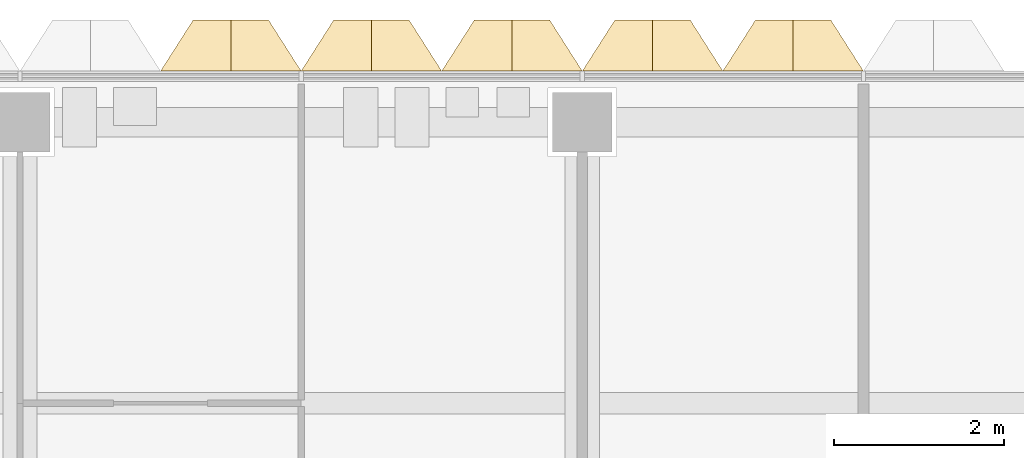
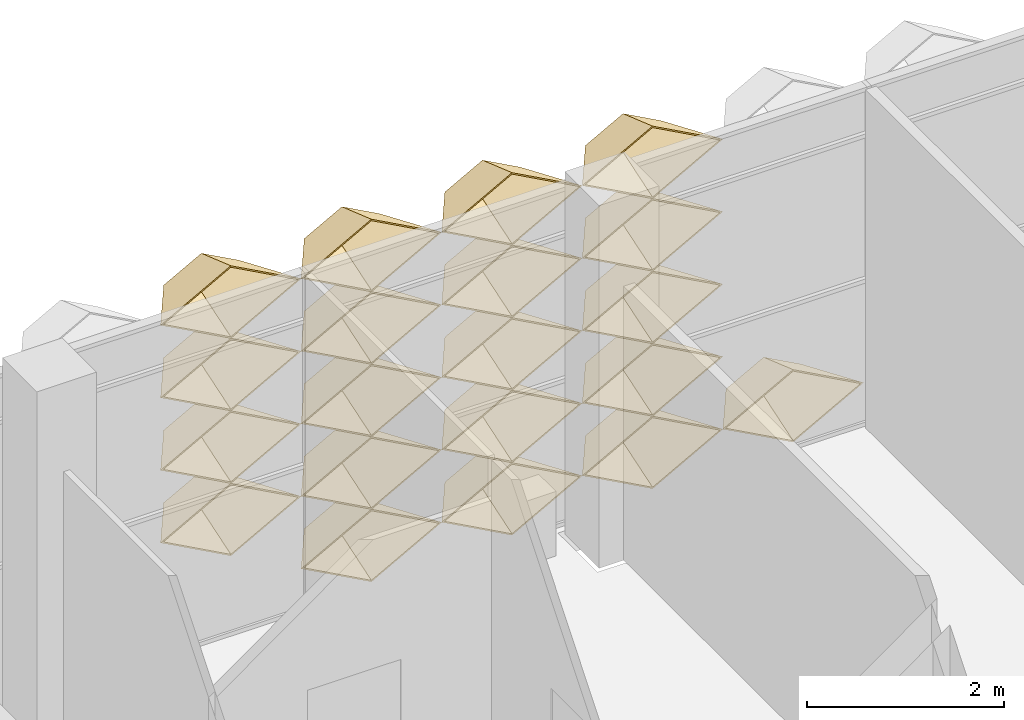
# One storey, part 26 of 29: 20 coverings.
"""IFC4 building model written with IfcOpenShell, lengths in metres."""

from ifc_helpers import new_model, entity, si_unit, direction, frame, origin, place, context, subcontext, project, spatial, material, layer, layer_set, type_object, element, save


model = new_model("IFC4")

# Units and contexts
model_context = context("Model", 3, precision=1e-05, world=origin(), true_north=direction((0.0, 1.0)))
body_context = subcontext(model_context, "Body", "Model", "MODEL_VIEW")
ifc_project = project(units=[si_unit("LENGTHUNIT", "METRE"), si_unit("AREAUNIT", "SQUARE_METRE"), si_unit("VOLUMEUNIT", "CUBIC_METRE"), si_unit("PLANEANGLEUNIT", "RADIAN"), si_unit("MASSUNIT", "GRAM", prefix="KILO")], contexts=[model_context])

# Site, building, storey
site_placement = place(None, origin())
site = spatial("IfcSite", under=ifc_project, at=site_placement, CompositionType="ELEMENT")
building_placement = place(site_placement, origin())
building = spatial("IfcBuilding", under=site, at=building_placement, Name="Lantern Court Research Institute", CompositionType="ELEMENT")
storey_placement = place(building_placement, frame((0.0, 0.0, 32.39990234375)))
storey = spatial("IfcBuildingStorey", under=building, at=storey_placement, Name="L07", CompositionType="ELEMENT", Elevation=32.39990234375)

# Coverings
ifc_material = material(Name="Anodised aluminium", Category="aluminium")
ifc_layer = layer(ifc_material, 0.01611328125)
ifc_layer_set = layer_set([ifc_layer], Name="Anodised aluminium")
covering_type = type_object("IfcCoveringType", Name="Fin cassette 1650 x 900 x 600 aluminium", PredefinedType="CLADDING", material=ifc_layer_set)
covering_1_placement = place(storey_placement, frame((63.52490234375, 23.699951171875, 0.4501953125), z_axis=(0.0, 1.0, 0.0), x_axis=(-1.0, 0.0, 0.0)))
cartesian_point_1 = entity("IfcCartesianPoint", [0.824951171875, 0.0])
cartesian_point_2 = entity("IfcCartesianPoint", [0.79150390625, 0.0])
cartesian_point_3 = entity("IfcCartesianPoint", [0.44189453125, 0.0])
cartesian_point_4 = entity("IfcCartesianPoint", [0.43359375, 0.0])
element("IfcCovering", 1, at=covering_1_placement, inside=storey, type_object=covering_type, Name="Fin cassette V5N-L07 1.39", PredefinedType="CLADDING", context=body_context, shape_type="SweptSolid", body=[
    entity("IfcExtrudedAreaSolidTapered", entity("IfcArbitraryProfileDefWithVoids", "AREA", None, entity("IfcPolyline", [cartesian_point_1, entity("IfcCartesianPoint", [0.0, 0.449951171875]), entity("IfcCartesianPoint", [-0.824951171875, 0.0]), entity("IfcCartesianPoint", [0.0, -0.449951171875]), cartesian_point_1]), [entity("IfcPolyline", [cartesian_point_2, entity("IfcCartesianPoint", [0.0, 0.431884765625]), entity("IfcCartesianPoint", [-0.79150390625, 0.0]), entity("IfcCartesianPoint", [0.0, -0.431884765625]), cartesian_point_2])]), entity("IfcAxis2Placement3D", entity("IfcCartesianPoint", [0.0, 0.0, 0.0])), entity("IfcDirection", [0.0, 0.0, 1.0]), 0.60009765625, entity("IfcArbitraryProfileDefWithVoids", "AREA", None, entity("IfcPolyline", [cartesian_point_3, entity("IfcCartesianPoint", [0.0, 0.240966796875]), entity("IfcCartesianPoint", [-0.44189453125, 0.0]), entity("IfcCartesianPoint", [0.0, -0.240966796875]), cartesian_point_3]), [entity("IfcPolyline", [cartesian_point_4, entity("IfcCartesianPoint", [0.0, 0.236572265625]), entity("IfcCartesianPoint", [-0.43359375, 0.0]), entity("IfcCartesianPoint", [0.0, -0.236572265625]), cartesian_point_4])])),
])
covering_2_placement = place(storey_placement, frame((65.175048828125, 23.699951171875, 0.4501953125), z_axis=(0.0, 1.0, 0.0), x_axis=(-1.0, 0.0, 0.0)))
cartesian_point_5 = entity("IfcCartesianPoint", [0.824951171875, 0.0])
cartesian_point_6 = entity("IfcCartesianPoint", [0.79150390625, 0.0])
cartesian_point_7 = entity("IfcCartesianPoint", [0.44189453125, 0.0])
cartesian_point_8 = entity("IfcCartesianPoint", [0.43359375, 0.0])
element("IfcCovering", 2, at=covering_2_placement, inside=storey, type_object=covering_type, Name="Fin cassette V5N-L07 1.40", PredefinedType="CLADDING", context=body_context, shape_type="SweptSolid", body=[
    entity("IfcExtrudedAreaSolidTapered", entity("IfcArbitraryProfileDefWithVoids", "AREA", None, entity("IfcPolyline", [cartesian_point_5, entity("IfcCartesianPoint", [0.0, 0.449951171875]), entity("IfcCartesianPoint", [-0.824951171875, 0.0]), entity("IfcCartesianPoint", [0.0, -0.449951171875]), cartesian_point_5]), [entity("IfcPolyline", [cartesian_point_6, entity("IfcCartesianPoint", [0.0, 0.431884765625]), entity("IfcCartesianPoint", [-0.79150390625, 0.0]), entity("IfcCartesianPoint", [0.0, -0.431884765625]), cartesian_point_6])]), entity("IfcAxis2Placement3D", entity("IfcCartesianPoint", [0.0, 0.0, 0.0])), entity("IfcDirection", [0.0, 0.0, 1.0]), 0.60009765625, entity("IfcArbitraryProfileDefWithVoids", "AREA", None, entity("IfcPolyline", [cartesian_point_7, entity("IfcCartesianPoint", [0.0, 0.240966796875]), entity("IfcCartesianPoint", [-0.44189453125, 0.0]), entity("IfcCartesianPoint", [0.0, -0.240966796875]), cartesian_point_7]), [entity("IfcPolyline", [cartesian_point_8, entity("IfcCartesianPoint", [0.0, 0.236572265625]), entity("IfcCartesianPoint", [-0.43359375, 0.0]), entity("IfcCartesianPoint", [0.0, -0.236572265625]), cartesian_point_8])])),
])
covering_3_placement = place(storey_placement, frame((66.824951171875, 23.699951171875, 0.4501953125), z_axis=(0.0, 1.0, 0.0), x_axis=(-1.0, 0.0, 0.0)))
cartesian_point_9 = entity("IfcCartesianPoint", [0.824951171875, 0.0])
cartesian_point_10 = entity("IfcCartesianPoint", [0.79150390625, 0.0])
cartesian_point_11 = entity("IfcCartesianPoint", [0.44189453125, 0.0])
cartesian_point_12 = entity("IfcCartesianPoint", [0.43359375, 0.0])
element("IfcCovering", 3, at=covering_3_placement, inside=storey, type_object=covering_type, Name="Fin cassette V5N-L07 1.41", PredefinedType="CLADDING", context=body_context, shape_type="SweptSolid", body=[
    entity("IfcExtrudedAreaSolidTapered", entity("IfcArbitraryProfileDefWithVoids", "AREA", None, entity("IfcPolyline", [cartesian_point_9, entity("IfcCartesianPoint", [0.0, 0.449951171875]), entity("IfcCartesianPoint", [-0.824951171875, 0.0]), entity("IfcCartesianPoint", [0.0, -0.449951171875]), cartesian_point_9]), [entity("IfcPolyline", [cartesian_point_10, entity("IfcCartesianPoint", [0.0, 0.431884765625]), entity("IfcCartesianPoint", [-0.79150390625, 0.0]), entity("IfcCartesianPoint", [0.0, -0.431884765625]), cartesian_point_10])]), entity("IfcAxis2Placement3D", entity("IfcCartesianPoint", [0.0, 0.0, 0.0])), entity("IfcDirection", [0.0, 0.0, 1.0]), 0.60009765625, entity("IfcArbitraryProfileDefWithVoids", "AREA", None, entity("IfcPolyline", [cartesian_point_11, entity("IfcCartesianPoint", [0.0, 0.240966796875]), entity("IfcCartesianPoint", [-0.44189453125, 0.0]), entity("IfcCartesianPoint", [0.0, -0.240966796875]), cartesian_point_11]), [entity("IfcPolyline", [cartesian_point_12, entity("IfcCartesianPoint", [0.0, 0.236572265625]), entity("IfcCartesianPoint", [-0.43359375, 0.0]), entity("IfcCartesianPoint", [0.0, -0.236572265625]), cartesian_point_12])])),
])
covering_4_placement = place(storey_placement, frame((68.47509765625, 23.699951171875, 0.4501953125), z_axis=(0.0, 1.0, 0.0), x_axis=(-1.0, 0.0, 0.0)))
cartesian_point_13 = entity("IfcCartesianPoint", [0.824951171875, 0.0])
cartesian_point_14 = entity("IfcCartesianPoint", [0.79150390625, 0.0])
cartesian_point_15 = entity("IfcCartesianPoint", [0.44189453125, 0.0])
cartesian_point_16 = entity("IfcCartesianPoint", [0.43359375, 0.0])
element("IfcCovering", 4, at=covering_4_placement, inside=storey, type_object=covering_type, Name="Fin cassette V5N-L07 1.42", PredefinedType="CLADDING", context=body_context, shape_type="SweptSolid", body=[
    entity("IfcExtrudedAreaSolidTapered", entity("IfcArbitraryProfileDefWithVoids", "AREA", None, entity("IfcPolyline", [cartesian_point_13, entity("IfcCartesianPoint", [0.0, 0.449951171875]), entity("IfcCartesianPoint", [-0.824951171875, 0.0]), entity("IfcCartesianPoint", [0.0, -0.449951171875]), cartesian_point_13]), [entity("IfcPolyline", [cartesian_point_14, entity("IfcCartesianPoint", [0.0, 0.431884765625]), entity("IfcCartesianPoint", [-0.79150390625, 0.0]), entity("IfcCartesianPoint", [0.0, -0.431884765625]), cartesian_point_14])]), entity("IfcAxis2Placement3D", entity("IfcCartesianPoint", [0.0, 0.0, 0.0])), entity("IfcDirection", [0.0, 0.0, 1.0]), 0.60009765625, entity("IfcArbitraryProfileDefWithVoids", "AREA", None, entity("IfcPolyline", [cartesian_point_15, entity("IfcCartesianPoint", [0.0, 0.240966796875]), entity("IfcCartesianPoint", [-0.44189453125, 0.0]), entity("IfcCartesianPoint", [0.0, -0.240966796875]), cartesian_point_15]), [entity("IfcPolyline", [cartesian_point_16, entity("IfcCartesianPoint", [0.0, 0.236572265625]), entity("IfcCartesianPoint", [-0.43359375, 0.0]), entity("IfcCartesianPoint", [0.0, -0.236572265625]), cartesian_point_16])])),
])
covering_5_placement = place(storey_placement, frame((61.875, 23.699951171875, 1.35009765625), z_axis=(0.0, 1.0, 0.0), x_axis=(-1.0, 0.0, 0.0)))
cartesian_point_17 = entity("IfcCartesianPoint", [0.824951171875, 0.0])
cartesian_point_18 = entity("IfcCartesianPoint", [0.79150390625, 0.0])
cartesian_point_19 = entity("IfcCartesianPoint", [0.44189453125, 0.0])
cartesian_point_20 = entity("IfcCartesianPoint", [0.43359375, 0.0])
element("IfcCovering", 5, at=covering_5_placement, inside=storey, type_object=covering_type, Name="Fin cassette V5N-L07 2.38", PredefinedType="CLADDING", context=body_context, shape_type="SweptSolid", body=[
    entity("IfcExtrudedAreaSolidTapered", entity("IfcArbitraryProfileDefWithVoids", "AREA", None, entity("IfcPolyline", [cartesian_point_17, entity("IfcCartesianPoint", [0.0, 0.449951171875]), entity("IfcCartesianPoint", [-0.824951171875, 0.0]), entity("IfcCartesianPoint", [0.0, -0.449951171875]), cartesian_point_17]), [entity("IfcPolyline", [cartesian_point_18, entity("IfcCartesianPoint", [0.0, 0.431884765625]), entity("IfcCartesianPoint", [-0.79150390625, 0.0]), entity("IfcCartesianPoint", [0.0, -0.431884765625]), cartesian_point_18])]), entity("IfcAxis2Placement3D", entity("IfcCartesianPoint", [0.0, 0.0, 0.0])), entity("IfcDirection", [0.0, 0.0, 1.0]), 0.60009765625, entity("IfcArbitraryProfileDefWithVoids", "AREA", None, entity("IfcPolyline", [cartesian_point_19, entity("IfcCartesianPoint", [0.0, 0.240966796875]), entity("IfcCartesianPoint", [-0.44189453125, 0.0]), entity("IfcCartesianPoint", [0.0, -0.240966796875]), cartesian_point_19]), [entity("IfcPolyline", [cartesian_point_20, entity("IfcCartesianPoint", [0.0, 0.236572265625]), entity("IfcCartesianPoint", [-0.43359375, 0.0]), entity("IfcCartesianPoint", [0.0, -0.236572265625]), cartesian_point_20])])),
])
covering_6_placement = place(storey_placement, frame((63.52490234375, 23.699951171875, 1.35009765625), z_axis=(0.0, 1.0, 0.0), x_axis=(-1.0, 0.0, 0.0)))
cartesian_point_21 = entity("IfcCartesianPoint", [0.824951171875, 0.0])
cartesian_point_22 = entity("IfcCartesianPoint", [0.79150390625, 0.0])
cartesian_point_23 = entity("IfcCartesianPoint", [0.44189453125, 0.0])
cartesian_point_24 = entity("IfcCartesianPoint", [0.43359375, 0.0])
element("IfcCovering", 6, at=covering_6_placement, inside=storey, type_object=covering_type, Name="Fin cassette V5N-L07 2.39", PredefinedType="CLADDING", context=body_context, shape_type="SweptSolid", body=[
    entity("IfcExtrudedAreaSolidTapered", entity("IfcArbitraryProfileDefWithVoids", "AREA", None, entity("IfcPolyline", [cartesian_point_21, entity("IfcCartesianPoint", [0.0, 0.449951171875]), entity("IfcCartesianPoint", [-0.824951171875, 0.0]), entity("IfcCartesianPoint", [0.0, -0.449951171875]), cartesian_point_21]), [entity("IfcPolyline", [cartesian_point_22, entity("IfcCartesianPoint", [0.0, 0.431884765625]), entity("IfcCartesianPoint", [-0.79150390625, 0.0]), entity("IfcCartesianPoint", [0.0, -0.431884765625]), cartesian_point_22])]), entity("IfcAxis2Placement3D", entity("IfcCartesianPoint", [0.0, 0.0, 0.0])), entity("IfcDirection", [0.0, 0.0, 1.0]), 0.60009765625, entity("IfcArbitraryProfileDefWithVoids", "AREA", None, entity("IfcPolyline", [cartesian_point_23, entity("IfcCartesianPoint", [0.0, 0.240966796875]), entity("IfcCartesianPoint", [-0.44189453125, 0.0]), entity("IfcCartesianPoint", [0.0, -0.240966796875]), cartesian_point_23]), [entity("IfcPolyline", [cartesian_point_24, entity("IfcCartesianPoint", [0.0, 0.236572265625]), entity("IfcCartesianPoint", [-0.43359375, 0.0]), entity("IfcCartesianPoint", [0.0, -0.236572265625]), cartesian_point_24])])),
])
covering_7_placement = place(storey_placement, frame((65.175048828125, 23.699951171875, 1.35009765625), z_axis=(0.0, 1.0, 0.0), x_axis=(-1.0, 0.0, 0.0)))
cartesian_point_25 = entity("IfcCartesianPoint", [0.824951171875, 0.0])
cartesian_point_26 = entity("IfcCartesianPoint", [0.79150390625, 0.0])
cartesian_point_27 = entity("IfcCartesianPoint", [0.44189453125, 0.0])
cartesian_point_28 = entity("IfcCartesianPoint", [0.43359375, 0.0])
element("IfcCovering", 7, at=covering_7_placement, inside=storey, type_object=covering_type, Name="Fin cassette V5N-L07 2.40", PredefinedType="CLADDING", context=body_context, shape_type="SweptSolid", body=[
    entity("IfcExtrudedAreaSolidTapered", entity("IfcArbitraryProfileDefWithVoids", "AREA", None, entity("IfcPolyline", [cartesian_point_25, entity("IfcCartesianPoint", [0.0, 0.449951171875]), entity("IfcCartesianPoint", [-0.824951171875, 0.0]), entity("IfcCartesianPoint", [0.0, -0.449951171875]), cartesian_point_25]), [entity("IfcPolyline", [cartesian_point_26, entity("IfcCartesianPoint", [0.0, 0.431884765625]), entity("IfcCartesianPoint", [-0.79150390625, 0.0]), entity("IfcCartesianPoint", [0.0, -0.431884765625]), cartesian_point_26])]), entity("IfcAxis2Placement3D", entity("IfcCartesianPoint", [0.0, 0.0, 0.0])), entity("IfcDirection", [0.0, 0.0, 1.0]), 0.60009765625, entity("IfcArbitraryProfileDefWithVoids", "AREA", None, entity("IfcPolyline", [cartesian_point_27, entity("IfcCartesianPoint", [0.0, 0.240966796875]), entity("IfcCartesianPoint", [-0.44189453125, 0.0]), entity("IfcCartesianPoint", [0.0, -0.240966796875]), cartesian_point_27]), [entity("IfcPolyline", [cartesian_point_28, entity("IfcCartesianPoint", [0.0, 0.236572265625]), entity("IfcCartesianPoint", [-0.43359375, 0.0]), entity("IfcCartesianPoint", [0.0, -0.236572265625]), cartesian_point_28])])),
])
covering_8_placement = place(storey_placement, frame((66.824951171875, 23.699951171875, 1.35009765625), z_axis=(0.0, 1.0, 0.0), x_axis=(-1.0, 0.0, 0.0)))
cartesian_point_29 = entity("IfcCartesianPoint", [0.824951171875, 0.0])
cartesian_point_30 = entity("IfcCartesianPoint", [0.79150390625, 0.0])
cartesian_point_31 = entity("IfcCartesianPoint", [0.44189453125, 0.0])
cartesian_point_32 = entity("IfcCartesianPoint", [0.43359375, 0.0])
element("IfcCovering", 8, at=covering_8_placement, inside=storey, type_object=covering_type, Name="Fin cassette V5N-L07 2.41", PredefinedType="CLADDING", context=body_context, shape_type="SweptSolid", body=[
    entity("IfcExtrudedAreaSolidTapered", entity("IfcArbitraryProfileDefWithVoids", "AREA", None, entity("IfcPolyline", [cartesian_point_29, entity("IfcCartesianPoint", [0.0, 0.449951171875]), entity("IfcCartesianPoint", [-0.824951171875, 0.0]), entity("IfcCartesianPoint", [0.0, -0.449951171875]), cartesian_point_29]), [entity("IfcPolyline", [cartesian_point_30, entity("IfcCartesianPoint", [0.0, 0.431884765625]), entity("IfcCartesianPoint", [-0.79150390625, 0.0]), entity("IfcCartesianPoint", [0.0, -0.431884765625]), cartesian_point_30])]), entity("IfcAxis2Placement3D", entity("IfcCartesianPoint", [0.0, 0.0, 0.0])), entity("IfcDirection", [0.0, 0.0, 1.0]), 0.60009765625, entity("IfcArbitraryProfileDefWithVoids", "AREA", None, entity("IfcPolyline", [cartesian_point_31, entity("IfcCartesianPoint", [0.0, 0.240966796875]), entity("IfcCartesianPoint", [-0.44189453125, 0.0]), entity("IfcCartesianPoint", [0.0, -0.240966796875]), cartesian_point_31]), [entity("IfcPolyline", [cartesian_point_32, entity("IfcCartesianPoint", [0.0, 0.236572265625]), entity("IfcCartesianPoint", [-0.43359375, 0.0]), entity("IfcCartesianPoint", [0.0, -0.236572265625]), cartesian_point_32])])),
])
covering_9_placement = place(storey_placement, frame((61.875, 23.699951171875, 2.25), z_axis=(0.0, 1.0, 0.0), x_axis=(-1.0, 0.0, 0.0)))
cartesian_point_33 = entity("IfcCartesianPoint", [0.824951171875, 0.0])
cartesian_point_34 = entity("IfcCartesianPoint", [0.79150390625, 0.0])
cartesian_point_35 = entity("IfcCartesianPoint", [0.44189453125, 0.0])
cartesian_point_36 = entity("IfcCartesianPoint", [0.43359375, 0.0])
element("IfcCovering", 9, at=covering_9_placement, inside=storey, type_object=covering_type, Name="Fin cassette V5N-L07 3.38", PredefinedType="CLADDING", context=body_context, shape_type="SweptSolid", body=[
    entity("IfcExtrudedAreaSolidTapered", entity("IfcArbitraryProfileDefWithVoids", "AREA", None, entity("IfcPolyline", [cartesian_point_33, entity("IfcCartesianPoint", [0.0, 0.449951171875]), entity("IfcCartesianPoint", [-0.824951171875, 0.0]), entity("IfcCartesianPoint", [0.0, -0.449951171875]), cartesian_point_33]), [entity("IfcPolyline", [cartesian_point_34, entity("IfcCartesianPoint", [0.0, 0.431884765625]), entity("IfcCartesianPoint", [-0.79150390625, 0.0]), entity("IfcCartesianPoint", [0.0, -0.431884765625]), cartesian_point_34])]), entity("IfcAxis2Placement3D", entity("IfcCartesianPoint", [0.0, 0.0, 0.0])), entity("IfcDirection", [0.0, 0.0, 1.0]), 0.60009765625, entity("IfcArbitraryProfileDefWithVoids", "AREA", None, entity("IfcPolyline", [cartesian_point_35, entity("IfcCartesianPoint", [0.0, 0.240966796875]), entity("IfcCartesianPoint", [-0.44189453125, 0.0]), entity("IfcCartesianPoint", [0.0, -0.240966796875]), cartesian_point_35]), [entity("IfcPolyline", [cartesian_point_36, entity("IfcCartesianPoint", [0.0, 0.236572265625]), entity("IfcCartesianPoint", [-0.43359375, 0.0]), entity("IfcCartesianPoint", [0.0, -0.236572265625]), cartesian_point_36])])),
])
covering_10_placement = place(storey_placement, frame((63.52490234375, 23.699951171875, 2.25), z_axis=(0.0, 1.0, 0.0), x_axis=(-1.0, 0.0, 0.0)))
cartesian_point_37 = entity("IfcCartesianPoint", [0.824951171875, 0.0])
cartesian_point_38 = entity("IfcCartesianPoint", [0.79150390625, 0.0])
cartesian_point_39 = entity("IfcCartesianPoint", [0.44189453125, 0.0])
cartesian_point_40 = entity("IfcCartesianPoint", [0.43359375, 0.0])
element("IfcCovering", 10, at=covering_10_placement, inside=storey, type_object=covering_type, Name="Fin cassette V5N-L07 3.39", PredefinedType="CLADDING", context=body_context, shape_type="SweptSolid", body=[
    entity("IfcExtrudedAreaSolidTapered", entity("IfcArbitraryProfileDefWithVoids", "AREA", None, entity("IfcPolyline", [cartesian_point_37, entity("IfcCartesianPoint", [0.0, 0.449951171875]), entity("IfcCartesianPoint", [-0.824951171875, 0.0]), entity("IfcCartesianPoint", [0.0, -0.449951171875]), cartesian_point_37]), [entity("IfcPolyline", [cartesian_point_38, entity("IfcCartesianPoint", [0.0, 0.431884765625]), entity("IfcCartesianPoint", [-0.79150390625, 0.0]), entity("IfcCartesianPoint", [0.0, -0.431884765625]), cartesian_point_38])]), entity("IfcAxis2Placement3D", entity("IfcCartesianPoint", [0.0, 0.0, 0.0])), entity("IfcDirection", [0.0, 0.0, 1.0]), 0.60009765625, entity("IfcArbitraryProfileDefWithVoids", "AREA", None, entity("IfcPolyline", [cartesian_point_39, entity("IfcCartesianPoint", [0.0, 0.240966796875]), entity("IfcCartesianPoint", [-0.44189453125, 0.0]), entity("IfcCartesianPoint", [0.0, -0.240966796875]), cartesian_point_39]), [entity("IfcPolyline", [cartesian_point_40, entity("IfcCartesianPoint", [0.0, 0.236572265625]), entity("IfcCartesianPoint", [-0.43359375, 0.0]), entity("IfcCartesianPoint", [0.0, -0.236572265625]), cartesian_point_40])])),
])
covering_11_placement = place(storey_placement, frame((65.175048828125, 23.699951171875, 2.25), z_axis=(0.0, 1.0, 0.0), x_axis=(-1.0, 0.0, 0.0)))
cartesian_point_41 = entity("IfcCartesianPoint", [0.824951171875, 0.0])
cartesian_point_42 = entity("IfcCartesianPoint", [0.79150390625, 0.0])
cartesian_point_43 = entity("IfcCartesianPoint", [0.44189453125, 0.0])
cartesian_point_44 = entity("IfcCartesianPoint", [0.43359375, 0.0])
element("IfcCovering", 11, at=covering_11_placement, inside=storey, type_object=covering_type, Name="Fin cassette V5N-L07 3.40", PredefinedType="CLADDING", context=body_context, shape_type="SweptSolid", body=[
    entity("IfcExtrudedAreaSolidTapered", entity("IfcArbitraryProfileDefWithVoids", "AREA", None, entity("IfcPolyline", [cartesian_point_41, entity("IfcCartesianPoint", [0.0, 0.449951171875]), entity("IfcCartesianPoint", [-0.824951171875, 0.0]), entity("IfcCartesianPoint", [0.0, -0.449951171875]), cartesian_point_41]), [entity("IfcPolyline", [cartesian_point_42, entity("IfcCartesianPoint", [0.0, 0.431884765625]), entity("IfcCartesianPoint", [-0.79150390625, 0.0]), entity("IfcCartesianPoint", [0.0, -0.431884765625]), cartesian_point_42])]), entity("IfcAxis2Placement3D", entity("IfcCartesianPoint", [0.0, 0.0, 0.0])), entity("IfcDirection", [0.0, 0.0, 1.0]), 0.60009765625, entity("IfcArbitraryProfileDefWithVoids", "AREA", None, entity("IfcPolyline", [cartesian_point_43, entity("IfcCartesianPoint", [0.0, 0.240966796875]), entity("IfcCartesianPoint", [-0.44189453125, 0.0]), entity("IfcCartesianPoint", [0.0, -0.240966796875]), cartesian_point_43]), [entity("IfcPolyline", [cartesian_point_44, entity("IfcCartesianPoint", [0.0, 0.236572265625]), entity("IfcCartesianPoint", [-0.43359375, 0.0]), entity("IfcCartesianPoint", [0.0, -0.236572265625]), cartesian_point_44])])),
])
covering_12_placement = place(storey_placement, frame((66.824951171875, 23.699951171875, 2.25), z_axis=(0.0, 1.0, 0.0), x_axis=(-1.0, 0.0, 0.0)))
cartesian_point_45 = entity("IfcCartesianPoint", [0.824951171875, 0.0])
cartesian_point_46 = entity("IfcCartesianPoint", [0.79150390625, 0.0])
cartesian_point_47 = entity("IfcCartesianPoint", [0.44189453125, 0.0])
cartesian_point_48 = entity("IfcCartesianPoint", [0.43359375, 0.0])
element("IfcCovering", 12, at=covering_12_placement, inside=storey, type_object=covering_type, Name="Fin cassette V5N-L07 3.41", PredefinedType="CLADDING", context=body_context, shape_type="SweptSolid", body=[
    entity("IfcExtrudedAreaSolidTapered", entity("IfcArbitraryProfileDefWithVoids", "AREA", None, entity("IfcPolyline", [cartesian_point_45, entity("IfcCartesianPoint", [0.0, 0.449951171875]), entity("IfcCartesianPoint", [-0.824951171875, 0.0]), entity("IfcCartesianPoint", [0.0, -0.449951171875]), cartesian_point_45]), [entity("IfcPolyline", [cartesian_point_46, entity("IfcCartesianPoint", [0.0, 0.431884765625]), entity("IfcCartesianPoint", [-0.79150390625, 0.0]), entity("IfcCartesianPoint", [0.0, -0.431884765625]), cartesian_point_46])]), entity("IfcAxis2Placement3D", entity("IfcCartesianPoint", [0.0, 0.0, 0.0])), entity("IfcDirection", [0.0, 0.0, 1.0]), 0.60009765625, entity("IfcArbitraryProfileDefWithVoids", "AREA", None, entity("IfcPolyline", [cartesian_point_47, entity("IfcCartesianPoint", [0.0, 0.240966796875]), entity("IfcCartesianPoint", [-0.44189453125, 0.0]), entity("IfcCartesianPoint", [0.0, -0.240966796875]), cartesian_point_47]), [entity("IfcPolyline", [cartesian_point_48, entity("IfcCartesianPoint", [0.0, 0.236572265625]), entity("IfcCartesianPoint", [-0.43359375, 0.0]), entity("IfcCartesianPoint", [0.0, -0.236572265625]), cartesian_point_48])])),
])
covering_13_placement = place(storey_placement, frame((61.875, 23.699951171875, 3.150146484375), z_axis=(0.0, 1.0, 0.0), x_axis=(-1.0, 0.0, 0.0)))
cartesian_point_49 = entity("IfcCartesianPoint", [0.824951171875, 0.0])
cartesian_point_50 = entity("IfcCartesianPoint", [0.79150390625, 0.0])
cartesian_point_51 = entity("IfcCartesianPoint", [0.44189453125, 0.0])
cartesian_point_52 = entity("IfcCartesianPoint", [0.43359375, 0.0])
element("IfcCovering", 13, at=covering_13_placement, inside=storey, type_object=covering_type, Name="Fin cassette V5N-L07 4.38", PredefinedType="CLADDING", context=body_context, shape_type="SweptSolid", body=[
    entity("IfcExtrudedAreaSolidTapered", entity("IfcArbitraryProfileDefWithVoids", "AREA", None, entity("IfcPolyline", [cartesian_point_49, entity("IfcCartesianPoint", [0.0, 0.449951171875]), entity("IfcCartesianPoint", [-0.824951171875, 0.0]), entity("IfcCartesianPoint", [0.0, -0.449951171875]), cartesian_point_49]), [entity("IfcPolyline", [cartesian_point_50, entity("IfcCartesianPoint", [0.0, 0.431884765625]), entity("IfcCartesianPoint", [-0.79150390625, 0.0]), entity("IfcCartesianPoint", [0.0, -0.431884765625]), cartesian_point_50])]), entity("IfcAxis2Placement3D", entity("IfcCartesianPoint", [0.0, 0.0, 0.0])), entity("IfcDirection", [0.0, 0.0, 1.0]), 0.60009765625, entity("IfcArbitraryProfileDefWithVoids", "AREA", None, entity("IfcPolyline", [cartesian_point_51, entity("IfcCartesianPoint", [0.0, 0.240966796875]), entity("IfcCartesianPoint", [-0.44189453125, 0.0]), entity("IfcCartesianPoint", [0.0, -0.240966796875]), cartesian_point_51]), [entity("IfcPolyline", [cartesian_point_52, entity("IfcCartesianPoint", [0.0, 0.236572265625]), entity("IfcCartesianPoint", [-0.43359375, 0.0]), entity("IfcCartesianPoint", [0.0, -0.236572265625]), cartesian_point_52])])),
])
covering_14_placement = place(storey_placement, frame((63.52490234375, 23.699951171875, 3.150146484375), z_axis=(0.0, 1.0, 0.0), x_axis=(-1.0, 0.0, 0.0)))
cartesian_point_53 = entity("IfcCartesianPoint", [0.824951171875, 0.0])
cartesian_point_54 = entity("IfcCartesianPoint", [0.79150390625, 0.0])
cartesian_point_55 = entity("IfcCartesianPoint", [0.44189453125, 0.0])
cartesian_point_56 = entity("IfcCartesianPoint", [0.43359375, 0.0])
element("IfcCovering", 14, at=covering_14_placement, inside=storey, type_object=covering_type, Name="Fin cassette V5N-L07 4.39", PredefinedType="CLADDING", context=body_context, shape_type="SweptSolid", body=[
    entity("IfcExtrudedAreaSolidTapered", entity("IfcArbitraryProfileDefWithVoids", "AREA", None, entity("IfcPolyline", [cartesian_point_53, entity("IfcCartesianPoint", [0.0, 0.449951171875]), entity("IfcCartesianPoint", [-0.824951171875, 0.0]), entity("IfcCartesianPoint", [0.0, -0.449951171875]), cartesian_point_53]), [entity("IfcPolyline", [cartesian_point_54, entity("IfcCartesianPoint", [0.0, 0.431884765625]), entity("IfcCartesianPoint", [-0.79150390625, 0.0]), entity("IfcCartesianPoint", [0.0, -0.431884765625]), cartesian_point_54])]), entity("IfcAxis2Placement3D", entity("IfcCartesianPoint", [0.0, 0.0, 0.0])), entity("IfcDirection", [0.0, 0.0, 1.0]), 0.60009765625, entity("IfcArbitraryProfileDefWithVoids", "AREA", None, entity("IfcPolyline", [cartesian_point_55, entity("IfcCartesianPoint", [0.0, 0.240966796875]), entity("IfcCartesianPoint", [-0.44189453125, 0.0]), entity("IfcCartesianPoint", [0.0, -0.240966796875]), cartesian_point_55]), [entity("IfcPolyline", [cartesian_point_56, entity("IfcCartesianPoint", [0.0, 0.236572265625]), entity("IfcCartesianPoint", [-0.43359375, 0.0]), entity("IfcCartesianPoint", [0.0, -0.236572265625]), cartesian_point_56])])),
])
covering_15_placement = place(storey_placement, frame((65.175048828125, 23.699951171875, 3.150146484375), z_axis=(0.0, 1.0, 0.0), x_axis=(-1.0, 0.0, 0.0)))
cartesian_point_57 = entity("IfcCartesianPoint", [0.824951171875, 0.0])
cartesian_point_58 = entity("IfcCartesianPoint", [0.79150390625, 0.0])
cartesian_point_59 = entity("IfcCartesianPoint", [0.44189453125, 0.0])
cartesian_point_60 = entity("IfcCartesianPoint", [0.43359375, 0.0])
element("IfcCovering", 15, at=covering_15_placement, inside=storey, type_object=covering_type, Name="Fin cassette V5N-L07 4.40", PredefinedType="CLADDING", context=body_context, shape_type="SweptSolid", body=[
    entity("IfcExtrudedAreaSolidTapered", entity("IfcArbitraryProfileDefWithVoids", "AREA", None, entity("IfcPolyline", [cartesian_point_57, entity("IfcCartesianPoint", [0.0, 0.449951171875]), entity("IfcCartesianPoint", [-0.824951171875, 0.0]), entity("IfcCartesianPoint", [0.0, -0.449951171875]), cartesian_point_57]), [entity("IfcPolyline", [cartesian_point_58, entity("IfcCartesianPoint", [0.0, 0.431884765625]), entity("IfcCartesianPoint", [-0.79150390625, 0.0]), entity("IfcCartesianPoint", [0.0, -0.431884765625]), cartesian_point_58])]), entity("IfcAxis2Placement3D", entity("IfcCartesianPoint", [0.0, 0.0, 0.0])), entity("IfcDirection", [0.0, 0.0, 1.0]), 0.60009765625, entity("IfcArbitraryProfileDefWithVoids", "AREA", None, entity("IfcPolyline", [cartesian_point_59, entity("IfcCartesianPoint", [0.0, 0.240966796875]), entity("IfcCartesianPoint", [-0.44189453125, 0.0]), entity("IfcCartesianPoint", [0.0, -0.240966796875]), cartesian_point_59]), [entity("IfcPolyline", [cartesian_point_60, entity("IfcCartesianPoint", [0.0, 0.236572265625]), entity("IfcCartesianPoint", [-0.43359375, 0.0]), entity("IfcCartesianPoint", [0.0, -0.236572265625]), cartesian_point_60])])),
])
covering_16_placement = place(storey_placement, frame((66.824951171875, 23.699951171875, 3.150146484375), z_axis=(0.0, 1.0, 0.0), x_axis=(-1.0, 0.0, 0.0)))
cartesian_point_61 = entity("IfcCartesianPoint", [0.824951171875, 0.0])
cartesian_point_62 = entity("IfcCartesianPoint", [0.79150390625, 0.0])
cartesian_point_63 = entity("IfcCartesianPoint", [0.44189453125, 0.0])
cartesian_point_64 = entity("IfcCartesianPoint", [0.43359375, 0.0])
element("IfcCovering", 16, at=covering_16_placement, inside=storey, type_object=covering_type, Name="Fin cassette V5N-L07 4.41", PredefinedType="CLADDING", context=body_context, shape_type="SweptSolid", body=[
    entity("IfcExtrudedAreaSolidTapered", entity("IfcArbitraryProfileDefWithVoids", "AREA", None, entity("IfcPolyline", [cartesian_point_61, entity("IfcCartesianPoint", [0.0, 0.449951171875]), entity("IfcCartesianPoint", [-0.824951171875, 0.0]), entity("IfcCartesianPoint", [0.0, -0.449951171875]), cartesian_point_61]), [entity("IfcPolyline", [cartesian_point_62, entity("IfcCartesianPoint", [0.0, 0.431884765625]), entity("IfcCartesianPoint", [-0.79150390625, 0.0]), entity("IfcCartesianPoint", [0.0, -0.431884765625]), cartesian_point_62])]), entity("IfcAxis2Placement3D", entity("IfcCartesianPoint", [0.0, 0.0, 0.0])), entity("IfcDirection", [0.0, 0.0, 1.0]), 0.60009765625, entity("IfcArbitraryProfileDefWithVoids", "AREA", None, entity("IfcPolyline", [cartesian_point_63, entity("IfcCartesianPoint", [0.0, 0.240966796875]), entity("IfcCartesianPoint", [-0.44189453125, 0.0]), entity("IfcCartesianPoint", [0.0, -0.240966796875]), cartesian_point_63]), [entity("IfcPolyline", [cartesian_point_64, entity("IfcCartesianPoint", [0.0, 0.236572265625]), entity("IfcCartesianPoint", [-0.43359375, 0.0]), entity("IfcCartesianPoint", [0.0, -0.236572265625]), cartesian_point_64])])),
])
covering_17_placement = place(storey_placement, frame((61.875, 23.699951171875, 4.050048828125), z_axis=(0.0, 1.0, 0.0), x_axis=(-1.0, 0.0, 0.0)))
cartesian_point_65 = entity("IfcCartesianPoint", [0.824951171875, 0.0])
cartesian_point_66 = entity("IfcCartesianPoint", [0.79150390625, 0.0])
cartesian_point_67 = entity("IfcCartesianPoint", [0.44189453125, 0.0])
cartesian_point_68 = entity("IfcCartesianPoint", [0.43359375, 0.0])
element("IfcCovering", 17, at=covering_17_placement, inside=storey, type_object=covering_type, Name="Fin cassette V5N-L07 5.38", PredefinedType="CLADDING", context=body_context, shape_type="SweptSolid", body=[
    entity("IfcExtrudedAreaSolidTapered", entity("IfcArbitraryProfileDefWithVoids", "AREA", None, entity("IfcPolyline", [cartesian_point_65, entity("IfcCartesianPoint", [0.0, 0.449951171875]), entity("IfcCartesianPoint", [-0.824951171875, 0.0]), entity("IfcCartesianPoint", [0.0, -0.449951171875]), cartesian_point_65]), [entity("IfcPolyline", [cartesian_point_66, entity("IfcCartesianPoint", [0.0, 0.431884765625]), entity("IfcCartesianPoint", [-0.79150390625, 0.0]), entity("IfcCartesianPoint", [0.0, -0.431884765625]), cartesian_point_66])]), entity("IfcAxis2Placement3D", entity("IfcCartesianPoint", [0.0, 0.0, 0.0])), entity("IfcDirection", [0.0, 0.0, 1.0]), 0.60009765625, entity("IfcArbitraryProfileDefWithVoids", "AREA", None, entity("IfcPolyline", [cartesian_point_67, entity("IfcCartesianPoint", [0.0, 0.240966796875]), entity("IfcCartesianPoint", [-0.44189453125, 0.0]), entity("IfcCartesianPoint", [0.0, -0.240966796875]), cartesian_point_67]), [entity("IfcPolyline", [cartesian_point_68, entity("IfcCartesianPoint", [0.0, 0.236572265625]), entity("IfcCartesianPoint", [-0.43359375, 0.0]), entity("IfcCartesianPoint", [0.0, -0.236572265625]), cartesian_point_68])])),
])
covering_18_placement = place(storey_placement, frame((63.52490234375, 23.699951171875, 4.050048828125), z_axis=(0.0, 1.0, 0.0), x_axis=(-1.0, 0.0, 0.0)))
cartesian_point_69 = entity("IfcCartesianPoint", [0.824951171875, 0.0])
cartesian_point_70 = entity("IfcCartesianPoint", [0.79150390625, 0.0])
cartesian_point_71 = entity("IfcCartesianPoint", [0.44189453125, 0.0])
cartesian_point_72 = entity("IfcCartesianPoint", [0.43359375, 0.0])
element("IfcCovering", 18, at=covering_18_placement, inside=storey, type_object=covering_type, Name="Fin cassette V5N-L07 5.39", PredefinedType="CLADDING", context=body_context, shape_type="SweptSolid", body=[
    entity("IfcExtrudedAreaSolidTapered", entity("IfcArbitraryProfileDefWithVoids", "AREA", None, entity("IfcPolyline", [cartesian_point_69, entity("IfcCartesianPoint", [0.0, 0.449951171875]), entity("IfcCartesianPoint", [-0.824951171875, 0.0]), entity("IfcCartesianPoint", [0.0, -0.449951171875]), cartesian_point_69]), [entity("IfcPolyline", [cartesian_point_70, entity("IfcCartesianPoint", [0.0, 0.431884765625]), entity("IfcCartesianPoint", [-0.79150390625, 0.0]), entity("IfcCartesianPoint", [0.0, -0.431884765625]), cartesian_point_70])]), entity("IfcAxis2Placement3D", entity("IfcCartesianPoint", [0.0, 0.0, 0.0])), entity("IfcDirection", [0.0, 0.0, 1.0]), 0.60009765625, entity("IfcArbitraryProfileDefWithVoids", "AREA", None, entity("IfcPolyline", [cartesian_point_71, entity("IfcCartesianPoint", [0.0, 0.240966796875]), entity("IfcCartesianPoint", [-0.44189453125, 0.0]), entity("IfcCartesianPoint", [0.0, -0.240966796875]), cartesian_point_71]), [entity("IfcPolyline", [cartesian_point_72, entity("IfcCartesianPoint", [0.0, 0.236572265625]), entity("IfcCartesianPoint", [-0.43359375, 0.0]), entity("IfcCartesianPoint", [0.0, -0.236572265625]), cartesian_point_72])])),
])
covering_19_placement = place(storey_placement, frame((65.175048828125, 23.699951171875, 4.050048828125), z_axis=(0.0, 1.0, 0.0), x_axis=(-1.0, 0.0, 0.0)))
cartesian_point_73 = entity("IfcCartesianPoint", [0.824951171875, 0.0])
cartesian_point_74 = entity("IfcCartesianPoint", [0.79150390625, 0.0])
cartesian_point_75 = entity("IfcCartesianPoint", [0.44189453125, 0.0])
cartesian_point_76 = entity("IfcCartesianPoint", [0.43359375, 0.0])
element("IfcCovering", 19, at=covering_19_placement, inside=storey, type_object=covering_type, Name="Fin cassette V5N-L07 5.40", PredefinedType="CLADDING", context=body_context, shape_type="SweptSolid", body=[
    entity("IfcExtrudedAreaSolidTapered", entity("IfcArbitraryProfileDefWithVoids", "AREA", None, entity("IfcPolyline", [cartesian_point_73, entity("IfcCartesianPoint", [0.0, 0.449951171875]), entity("IfcCartesianPoint", [-0.824951171875, 0.0]), entity("IfcCartesianPoint", [0.0, -0.449951171875]), cartesian_point_73]), [entity("IfcPolyline", [cartesian_point_74, entity("IfcCartesianPoint", [0.0, 0.431884765625]), entity("IfcCartesianPoint", [-0.79150390625, 0.0]), entity("IfcCartesianPoint", [0.0, -0.431884765625]), cartesian_point_74])]), entity("IfcAxis2Placement3D", entity("IfcCartesianPoint", [0.0, 0.0, 0.0])), entity("IfcDirection", [0.0, 0.0, 1.0]), 0.60009765625, entity("IfcArbitraryProfileDefWithVoids", "AREA", None, entity("IfcPolyline", [cartesian_point_75, entity("IfcCartesianPoint", [0.0, 0.240966796875]), entity("IfcCartesianPoint", [-0.44189453125, 0.0]), entity("IfcCartesianPoint", [0.0, -0.240966796875]), cartesian_point_75]), [entity("IfcPolyline", [cartesian_point_76, entity("IfcCartesianPoint", [0.0, 0.236572265625]), entity("IfcCartesianPoint", [-0.43359375, 0.0]), entity("IfcCartesianPoint", [0.0, -0.236572265625]), cartesian_point_76])])),
])
covering_20_placement = place(storey_placement, frame((66.824951171875, 23.699951171875, 4.050048828125), z_axis=(0.0, 1.0, 0.0), x_axis=(-1.0, 0.0, 0.0)))
cartesian_point_77 = entity("IfcCartesianPoint", [0.824951171875, 0.0])
cartesian_point_78 = entity("IfcCartesianPoint", [0.79150390625, 0.0])
cartesian_point_79 = entity("IfcCartesianPoint", [0.44189453125, 0.0])
cartesian_point_80 = entity("IfcCartesianPoint", [0.43359375, 0.0])
element("IfcCovering", 20, at=covering_20_placement, inside=storey, type_object=covering_type, Name="Fin cassette V5N-L07 5.41", PredefinedType="CLADDING", context=body_context, shape_type="SweptSolid", body=[
    entity("IfcExtrudedAreaSolidTapered", entity("IfcArbitraryProfileDefWithVoids", "AREA", None, entity("IfcPolyline", [cartesian_point_77, entity("IfcCartesianPoint", [0.0, 0.449951171875]), entity("IfcCartesianPoint", [-0.824951171875, 0.0]), entity("IfcCartesianPoint", [0.0, -0.449951171875]), cartesian_point_77]), [entity("IfcPolyline", [cartesian_point_78, entity("IfcCartesianPoint", [0.0, 0.431884765625]), entity("IfcCartesianPoint", [-0.79150390625, 0.0]), entity("IfcCartesianPoint", [0.0, -0.431884765625]), cartesian_point_78])]), entity("IfcAxis2Placement3D", entity("IfcCartesianPoint", [0.0, 0.0, 0.0])), entity("IfcDirection", [0.0, 0.0, 1.0]), 0.60009765625, entity("IfcArbitraryProfileDefWithVoids", "AREA", None, entity("IfcPolyline", [cartesian_point_79, entity("IfcCartesianPoint", [0.0, 0.240966796875]), entity("IfcCartesianPoint", [-0.44189453125, 0.0]), entity("IfcCartesianPoint", [0.0, -0.240966796875]), cartesian_point_79]), [entity("IfcPolyline", [cartesian_point_80, entity("IfcCartesianPoint", [0.0, 0.236572265625]), entity("IfcCartesianPoint", [-0.43359375, 0.0]), entity("IfcCartesianPoint", [0.0, -0.236572265625]), cartesian_point_80])])),
])

save(model, "model.ifc")
